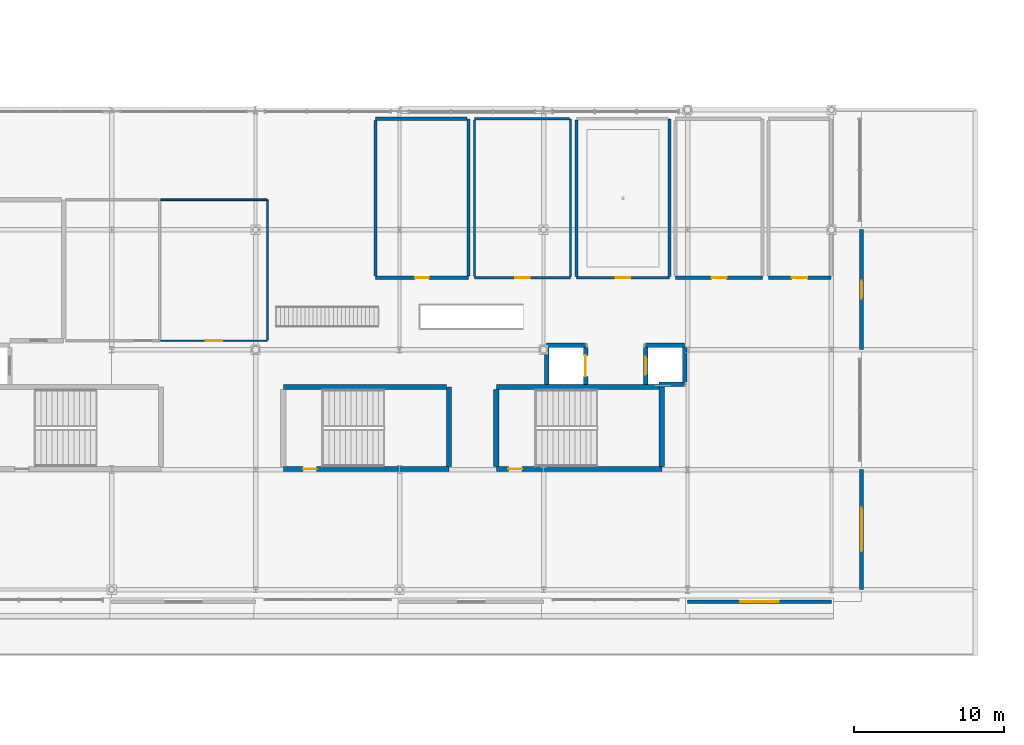
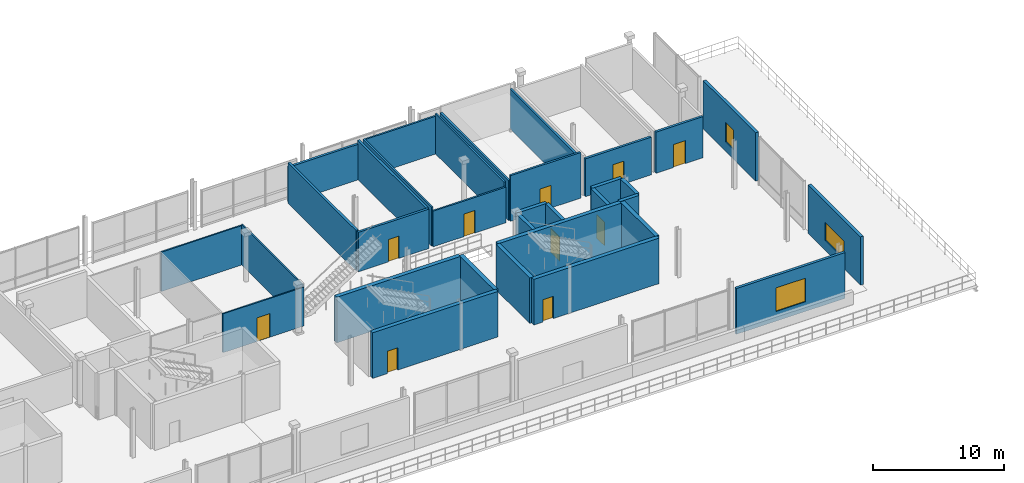
# One storey, part 25 of 36: 33 walls, 10 doors, 3 windows, 13 openings.
"""IFC4 building model written with IfcOpenShell, lengths in metres."""

import ifcopenshell
import ifcopenshell.guid

model = None  # the IFC model being written
_history = None  # IfcOwnerHistory: only IFC2X3 demands one
_inside = {}  # id of a spatial element -> (the spatial element, [elements in it])
_under = {}  # id of a project, library or spatial element -> (it, [spatial elements below it])
_declared = {}  # id of a project -> (the project, [libraries it declares])
_typed = {}  # id of a type object -> (the type object, [elements of that type])
_made_of = {}  # id of a material, layer set ... -> (it, [elements and type objects made of it])


def new_model(schema):
    """Start an empty IFC model of exactly this schema.

    Asked for "IFC4X3", IfcOpenShell would pick the latest addendum, in which some entities
    have other attributes; the version numbers below select the first issue.
    IFC2X3 requires an IfcOwnerHistory on every rooted entity: one is made here for all.
    """
    global model, _history
    if schema == "IFC4X3":
        model = ifcopenshell.file(schema_version=(4, 3, 0, 0))
    else:
        model = ifcopenshell.file(schema=schema)
    _inside.clear()
    _under.clear()
    _declared.clear()
    _typed.clear()
    _made_of.clear()
    _history = None
    if model.schema == "IFC2X3":
        org = make("IfcOrganization", Name="unknown")
        user = make(
            "IfcPersonAndOrganization",
            ThePerson=make("IfcPerson", FamilyName="unknown"),
            TheOrganization=org,
        )
        app = make(
            "IfcApplication",
            ApplicationDeveloper=org,
            Version="unknown",
            ApplicationFullName="unknown",
            ApplicationIdentifier="unknown",
        )
        _history = make(
            "IfcOwnerHistory",
            OwningUser=user,
            OwningApplication=app,
            ChangeAction="ADDED",
            CreationDate=0,
        )
    return model


def make(cls, **values):
    """One entity of the class cls with the attributes given. An attribute that is None is left unset."""
    return model.create_entity(
        cls, **{name: value for name, value in values.items() if value is not None}
    )


def rooted(cls, **values):
    """An entity with a GlobalId (a new one), such as an element, a storey or a relation."""
    return make(cls, GlobalId=ifcopenshell.guid.new(), OwnerHistory=_history, **values)


def si_unit(unit_type, name, prefix=None):
    """IfcSIUnit, for example si_unit("LENGTHUNIT", "METRE", prefix="MILLI")."""
    return make("IfcSIUnit", UnitType=unit_type, Prefix=prefix, Name=name)


def assignment(units):
    """IfcUnitAssignment: the units of a project."""
    return None if units is None else make("IfcUnitAssignment", Units=units)


def point(xyz):
    """IfcCartesianPoint."""
    return None if xyz is None else make("IfcCartesianPoint", Coordinates=xyz)


def direction(xyz):
    """IfcDirection."""
    return None if xyz is None else make("IfcDirection", DirectionRatios=xyz)


def frame(location, z_axis=None, x_axis=None):
    """IfcAxis2Placement3D, a coordinate frame: its origin and axes. An axis left out is left unset."""
    return make(
        "IfcAxis2Placement3D",
        Location=point(location),
        Axis=direction(z_axis),
        RefDirection=direction(x_axis),
    )


def frame_2d(location, x_axis=None):
    """IfcAxis2Placement2D, a coordinate frame in the plane: its origin and x axis."""
    return make(
        "IfcAxis2Placement2D", Location=point(location), RefDirection=direction(x_axis)
    )


def origin():
    """The frame at (0, 0, 0) with its axes left unset."""
    return frame((0.0, 0.0, 0.0))


def place(relative_to, where):
    """IfcLocalPlacement: puts the frame where relative to a parent placement (None: the world)."""
    return make(
        "IfcLocalPlacement", PlacementRelTo=relative_to, RelativePlacement=where
    )


def context(
    kind, dimensions, precision=None, world=None, true_north=None, identifier=None
):
    """IfcGeometricRepresentationContext, for example the 3D "Model" context."""
    return make(
        "IfcGeometricRepresentationContext",
        ContextIdentifier=identifier,
        ContextType=kind,
        CoordinateSpaceDimension=dimensions,
        Precision=precision,
        WorldCoordinateSystem=world,
        TrueNorth=true_north,
    )


def subcontext(parent, identifier, kind, view, scale=None):
    """IfcGeometricRepresentationSubContext, for example "Body" below "Model"."""
    return make(
        "IfcGeometricRepresentationSubContext",
        ContextIdentifier=identifier,
        ContextType=kind,
        ParentContext=parent,
        TargetScale=scale,
        TargetView=view,
    )


def project(units=None, contexts=None):
    """IfcProject with its units and contexts."""
    return rooted(
        "IfcProject",
        Name="project",
        RepresentationContexts=contexts,
        UnitsInContext=assignment(units),
    )


def spatial(cls, under=None, at=None, **own):
    """A site, building, storey or space (cls), placed at a placement, below another one or the project."""
    s = rooted(cls, ObjectPlacement=at, **own)
    if under is not None:
        _under.setdefault(under.id(), (under, []))[1].append(s)
    return s


def profile(cls, at=None, kind="AREA", **sizes):
    """A parametric profile (cls). Its sizes go by their IFC names, for example OverallWidth=200.0."""
    return make(cls, ProfileType=kind, Position=at, **sizes)


def rectangle(**sizes):
    """IfcRectangleProfileDef."""
    return profile("IfcRectangleProfileDef", **sizes)


def extrude(swept, where, along, depth):
    """IfcExtrudedAreaSolid: the profile swept, set in the frame where, extruded along a direction by depth."""
    return make(
        "IfcExtrudedAreaSolid",
        SweptArea=swept,
        Position=where,
        ExtrudedDirection=direction(along),
        Depth=depth,
    )


def shape(context_of_items, identifier, shape_type, items):
    """IfcShapeRepresentation: the items that make up one representation, for example the "Body"."""
    return make(
        "IfcShapeRepresentation",
        ContextOfItems=context_of_items,
        RepresentationIdentifier=identifier,
        RepresentationType=shape_type,
        Items=items,
    )


def material(Name=None, Category=None):
    """IfcMaterial."""
    return make("IfcMaterial", Name=Name, Category=Category)


def layer(
    of_material, thickness, ventilated=None, Name=None, Category=None, Priority=None
):
    """IfcMaterialLayer: one layer of a wall or slab, of a material (None: an air gap)."""
    return make(
        "IfcMaterialLayer",
        Material=of_material,
        LayerThickness=thickness,
        IsVentilated=ventilated,
        Name=Name,
        Category=Category,
        Priority=Priority,
    )


def layer_set(layers, Name=None):
    """IfcMaterialLayerSet."""
    return make("IfcMaterialLayerSet", MaterialLayers=layers, LayerSetName=Name)


def made_of(thing, what):
    """Note that an element or type object is made of a material, layer set ...; save() writes the relation."""
    if what is not None:
        _made_of.setdefault(what.id(), (what, []))[1].append(thing)
    return thing


def type_object(cls, material=None, **own):
    """A type object (cls), such as IfcWallType, which elements share."""
    return made_of(rooted(cls, **own), material)


def element(
    cls,
    number,
    at=None,
    inside=None,
    cuts=None,
    type_object=None,
    material=None,
    context=None,
    identifier="Body",
    shape_type=None,
    held_by="IfcProductDefinitionShape",
    body=None,
    shapes=None,
    **own,
):
    """One element of the class cls, such as IfcWall. Its Tag is "e" and its number.

    at: its placement. inside: the storey or other place that contains it. cuts: it is an
    opening in that element (IfcRelVoidsElement). A single representation is given by context,
    identifier, shape_type and body (its items); several are given by shapes. held_by: the class
    of the entity that holds the representations. save() writes the other relations.
    """
    e = rooted(cls, Tag="e%d" % number, ObjectPlacement=at, **own)
    if body is not None:
        shapes = [shape(context, identifier, shape_type, body)]
    if shapes is not None:
        e.Representation = make(held_by, Representations=shapes)
    if inside is not None:
        _inside.setdefault(inside.id(), (inside, []))[1].append(e)
    if cuts is not None:
        rooted(
            "IfcRelVoidsElement", RelatingBuildingElement=cuts, RelatedOpeningElement=e
        )
    if type_object is not None:
        _typed.setdefault(type_object.id(), (type_object, []))[1].append(e)
    return made_of(e, material)


def fill(opening, filler):
    """IfcRelFillsElement: the door or window that sits in an opening."""
    return rooted(
        "IfcRelFillsElement",
        RelatingOpeningElement=opening,
        RelatedBuildingElement=filler,
    )


def aggregate(whole, parts):
    """IfcRelAggregates: a whole, such as a stair, and the parts it consists of."""
    return rooted("IfcRelAggregates", RelatingObject=whole, RelatedObjects=parts)


def save(model, path):
    """Write the relations noted so far, then the file.

    IfcRelAggregates (storeys below a building ...), IfcRelContainedInSpatialStructure (elements
    in a storey), IfcRelDefinesByType, IfcRelAssociatesMaterial and IfcRelDeclares: one each for
    every whole, place, type object, material and project.
    """
    for whole, parts in _under.values():
        aggregate(whole, parts)
    for where, things in _inside.values():
        rooted(
            "IfcRelContainedInSpatialStructure",
            RelatedElements=things,
            RelatingStructure=where,
        )
    for kind, things in _typed.values():
        rooted("IfcRelDefinesByType", RelatedObjects=things, RelatingType=kind)
    for what, things in _made_of.values():
        rooted("IfcRelAssociatesMaterial", RelatedObjects=things, RelatingMaterial=what)
    for by, libraries in _declared.values():
        rooted("IfcRelDeclares", RelatingContext=by, RelatedDefinitions=libraries)
    model.write(path)


model = new_model("IFC4")

# Units and contexts
model_context = context("Model", 3, precision=1e-05, world=origin(), true_north=direction((0.0, 1.0)))
body_context = subcontext(model_context, "Body", "Model", "MODEL_VIEW")
ifc_project = project(units=[si_unit("LENGTHUNIT", "METRE"), si_unit("AREAUNIT", "SQUARE_METRE"), si_unit("VOLUMEUNIT", "CUBIC_METRE"), si_unit("PLANEANGLEUNIT", "RADIAN"), si_unit("MASSUNIT", "GRAM", prefix="KILO")], contexts=[model_context])

# Site, building, storey
site_placement = place(None, origin())
site = spatial("IfcSite", under=ifc_project, at=site_placement, CompositionType="ELEMENT")
building_placement = place(site_placement, origin())
building = spatial("IfcBuilding", under=site, at=building_placement, Name="Danafjord Basin Convention Centre", CompositionType="ELEMENT")
storey_placement = place(building_placement, frame((0.0, 0.0, 20.39990234375)))
storey = spatial("IfcBuildingStorey", under=building, at=storey_placement, Name="L04", CompositionType="ELEMENT", Elevation=20.39990234375)

# Wall
ifc_material_1 = material(Name="Concrete C40/50", Category="concrete")
ifc_layer_1 = layer(ifc_material_1, 0.300048828125)
ifc_layer_set_1 = layer_set([ifc_layer_1], Name="Concrete C40/50")
wall_type_1 = type_object("IfcWallType", Name="WALL-CW-CORE300", PredefinedType="SHEAR", material=ifc_layer_set_1)
wall_1_placement = place(storey_placement, frame((89.199951171875, 24.300048828125, 0.0), z_axis=(0.0, 0.0, 1.0), x_axis=(-1.0, 0.0, 0.0)))
element("IfcWall", 1, at=wall_1_placement, inside=storey, type_object=wall_type_1, Name="Lift LF-FF02 shaft shear wall", PredefinedType="SHEAR", context=body_context, shape_type="SweptSolid", body=[
    extrude(rectangle(XDim=2.599853515625, YDim=0.300048828125, at=frame_2d((1.2998046875, 0.0))), origin(), (0.0, 0.0, 1.0), 4.25),
])

# Wall, opening, door
wall_2_placement = place(storey_placement, frame((89.199951171875, 21.6650390625, 0.0), z_axis=(0.0, 0.0, 1.0), x_axis=(0.0, 1.0, 0.0)))
wall_2 = element("IfcWall", 2, at=wall_2_placement, inside=storey, type_object=wall_type_1, Name="Lift LF-FF02 shaft shear wall", PredefinedType="SHEAR", context=body_context, shape_type="SweptSolid", body=[
    extrude(rectangle(XDim=2.5, YDim=0.300048828125, at=frame_2d((1.25, 0.0))), origin(), (0.0, 0.0, 1.0), 4.25),
])
opening_1_placement = place(wall_2_placement, frame((0.550048828125, 0.0, 0.0)))
opening_1 = element("IfcOpeningElement", 3, at=opening_1_placement, cuts=wall_2, Name="Opening LD-F01", PredefinedType="OPENING", context=body_context, shape_type="SweptSolid", body=[
    extrude(rectangle(XDim=1.39990234375, YDim=2.260009765625, at=frame_2d((0.699951171875, 1.1298828125))), frame((0.0, 0.159912109375, 0.0), z_axis=(0.0, -1.0, 0.0), x_axis=(1.0, 0.0, 0.0)), (0.0, 0.0, 1.0), 0.320068359375),
])
ifc_material_2 = material(Name="Brushed stainless steel and acoustic laminated glass", Category="steel")
door_type_1 = type_object("IfcDoorType", Name="DOOR-LD-F01", OperationType="DOUBLE_DOOR_SLIDING", PredefinedType="DOOR", material=ifc_material_2)
door_1_placement = place(opening_1_placement, origin())
door_1 = element("IfcDoor", 4, at=door_1_placement, inside=storey, type_object=door_type_1, Name="Lift LF-FF02 L04 Landing Door", OperationType="DOUBLE_DOOR_SLIDING", OverallHeight=2.260009765625, OverallWidth=1.39990234375, PredefinedType="DOOR", context=body_context, shape_type="SweptSolid", body=[
    extrude(rectangle(XDim=1.39990234375, YDim=2.260009765625, at=frame_2d((0.699951171875, 1.1298828125))), frame((0.0, 0.02490234375, 0.0), z_axis=(0.0, -1.0, 0.0), x_axis=(1.0, 0.0, 0.0)), (0.0, 0.0, 1.0), 0.050048828125),
])
fill(opening_1, door_1)

# Walls
wall_3_placement = place(storey_placement, frame((86.60009765625, 24.1650390625, 0.0), z_axis=(0.0, 0.0, 1.0), x_axis=(0.0, -1.0, 0.0)))
element("IfcWall", 5, at=wall_3_placement, inside=storey, type_object=wall_type_1, Name="Lift LF-FF02 shaft shear wall", PredefinedType="SHEAR", context=body_context, shape_type="SweptSolid", body=[
    extrude(rectangle(XDim=2.5, YDim=0.300048828125, at=frame_2d((1.25, 0.0))), origin(), (0.0, 0.0, 1.0), 4.25),
])
wall_4_placement = place(storey_placement, frame((95.800048828125, 24.300048828125, 0.0), z_axis=(0.0, 0.0, 1.0), x_axis=(-1.0, 0.0, 0.0)))
element("IfcWall", 6, at=wall_4_placement, inside=storey, type_object=wall_type_1, Name="Lift LF-P02 shaft shear wall", PredefinedType="SHEAR", context=body_context, shape_type="SweptSolid", body=[
    extrude(rectangle(XDim=2.60009765625, YDim=0.300048828125, at=frame_2d((1.300048828125, 0.0))), origin(), (0.0, 0.0, 1.0), 4.25),
])
wall_5_placement = place(storey_placement, frame((94.110107421875, 21.699951171875, 0.0), z_axis=(0.0, 0.0, 1.0), x_axis=(1.0, 0.0, 0.0)))
element("IfcWall", 7, at=wall_5_placement, inside=storey, type_object=wall_type_1, Name="Lift LF-P02 shaft shear wall", PredefinedType="SHEAR", context=body_context, shape_type="SweptSolid", body=[
    extrude(rectangle(XDim=1.68994140625, YDim=0.300048828125, at=frame_2d((0.844970703125, 0.0))), origin(), (0.0, 0.0, 1.0), 4.25),
])
wall_6_placement = place(storey_placement, frame((95.800048828125, 21.8349609375, 0.0), z_axis=(0.0, 0.0, 1.0), x_axis=(0.0, 1.0, 0.0)))
element("IfcWall", 8, at=wall_6_placement, inside=storey, type_object=wall_type_1, Name="Lift LF-P02 shaft shear wall", PredefinedType="SHEAR", context=body_context, shape_type="SweptSolid", body=[
    extrude(rectangle(XDim=2.330078125, YDim=0.300048828125, at=frame_2d((1.1650390625, 0.0))), origin(), (0.0, 0.0, 1.0), 4.25),
])

# Wall, opening, door
wall_7_placement = place(storey_placement, frame((93.199951171875, 24.1650390625, 0.0), z_axis=(0.0, 0.0, 1.0), x_axis=(0.0, -1.0, 0.0)))
wall_7 = element("IfcWall", 9, at=wall_7_placement, inside=storey, type_object=wall_type_1, Name="Lift LF-P02 shaft shear wall", PredefinedType="SHEAR", context=body_context, shape_type="SweptSolid", body=[
    extrude(rectangle(XDim=2.5, YDim=0.300048828125, at=frame_2d((1.25, 0.0))), origin(), (0.0, 0.0, 1.0), 4.25),
])
opening_2_placement = place(wall_7_placement, frame((0.64990234375, 0.0, 0.0)))
opening_2 = element("IfcOpeningElement", 10, at=opening_2_placement, cuts=wall_7, Name="Opening LD-P01", PredefinedType="OPENING", context=body_context, shape_type="SweptSolid", body=[
    extrude(rectangle(XDim=1.199951171875, YDim=2.199951171875, at=frame_2d((0.60009765625, 1.10009765625))), frame((0.0, 0.159912109375, 0.0), z_axis=(0.0, -1.0, 0.0), x_axis=(1.0, 0.0, 0.0)), (0.0, 0.0, 1.0), 0.320068359375),
])
door_type_2 = type_object("IfcDoorType", Name="DOOR-LD-P01", OperationType="DOUBLE_DOOR_SLIDING", PredefinedType="DOOR", material=ifc_material_2)
door_2_placement = place(opening_2_placement, origin())
door_2 = element("IfcDoor", 11, at=door_2_placement, inside=storey, type_object=door_type_2, Name="Lift LF-P02 L04 Landing Door", OperationType="DOUBLE_DOOR_SLIDING", OverallHeight=2.199951171875, OverallWidth=1.199951171875, PredefinedType="DOOR", context=body_context, shape_type="SweptSolid", body=[
    extrude(rectangle(XDim=1.199951171875, YDim=2.199951171875, at=frame_2d((0.60009765625, 1.10009765625))), frame((0.0, 0.02490234375, 0.0), z_axis=(0.0, -1.0, 0.0), x_axis=(1.0, 0.0, 0.0)), (0.0, 0.0, 1.0), 0.050048828125),
])
fill(opening_2, door_2)

ifc_material_3 = material(Name="Concrete C45/55", Category="concrete")
ifc_layer_2 = layer(ifc_material_3, 0.35009765625)
ifc_layer_set_2 = layer_set([ifc_layer_2], Name="Concrete C45/55")
wall_type_2 = type_object("IfcWallType", Name="WALL-CW-CORE350", PredefinedType="SHEAR", material=ifc_layer_set_2)
wall_8_placement = place(storey_placement, frame((83.25, 16.050048828125, 0.0), z_axis=(0.0, 0.0, 1.0), x_axis=(1.0, 0.0, 0.0)))
wall_8 = element("IfcWall", 12, at=wall_8_placement, inside=storey, type_object=wall_type_2, Name="Central Harbour Core Stair 1 core shear wall (south)", PredefinedType="SHEAR", context=body_context, shape_type="SweptSolid", body=[
    extrude(rectangle(XDim=11.0400390625, YDim=0.35009765625, at=frame_2d((5.52001953125, 0.0))), origin(), (0.0, 0.0, 1.0), 4.25),
])
opening_3_placement = place(wall_8_placement, frame((0.805908203125, 0.0, 0.0)))
opening_3 = element("IfcOpeningElement", 13, at=opening_3_placement, cuts=wall_8, Name="Opening FD-S01", PredefinedType="OPENING", context=body_context, shape_type="SweptSolid", body=[
    extrude(rectangle(XDim=0.909912109375, YDim=2.080078125, at=frame_2d((0.455078125, 1.0400390625))), frame((0.0, 0.18505859375, 0.0), z_axis=(0.0, -1.0, 0.0), x_axis=(1.0, 0.0, 0.0)), (0.0, 0.0, 1.0), 0.3701171875),
])
ifc_material_4 = material(Name="Powder-coated steel and Nordic oak", Category="steel")
door_type_3 = type_object("IfcDoorType", Name="DOOR-FD-S01", OperationType="NOTDEFINED", PredefinedType="DOOR", material=ifc_material_4)
door_3_placement = place(opening_3_placement, origin())
door_3 = element("IfcDoor", 14, at=door_3_placement, inside=storey, type_object=door_type_3, Name="Central Harbour Core Stair 1 L04 Fire Exit Door", OperationType="SINGLE_SWING_RIGHT", OverallHeight=2.080078125, OverallWidth=0.909912109375, PredefinedType="DOOR", context=body_context, shape_type="SweptSolid", body=[
    extrude(rectangle(XDim=0.909912109375, YDim=2.080078125, at=frame_2d((0.455078125, 1.0400390625))), frame((0.0, 0.02490234375, 0.0), z_axis=(0.0, -1.0, 0.0), x_axis=(1.0, 0.0, 0.0)), (0.0, 0.0, 1.0), 0.050048828125),
])
fill(opening_3, door_3)

# Walls
wall_9_placement = place(storey_placement, frame((94.2900390625, 16.2099609375, 0.0), z_axis=(0.0, 0.0, 1.0), x_axis=(0.0, 1.0, 0.0)))
element("IfcWall", 15, at=wall_9_placement, inside=storey, type_object=wall_type_2, Name="Central Harbour Core Stair 1 core shear wall (east)", PredefinedType="SHEAR", context=body_context, shape_type="SweptSolid", body=[
    extrude(rectangle(XDim=5.300048828125, YDim=0.35009765625, at=frame_2d((2.64990234375, 0.0))), origin(), (0.0, 0.0, 1.0), 4.25),
])
wall_10_placement = place(storey_placement, frame((94.1298828125, 21.510009765625, 0.0), z_axis=(0.0, 0.0, 1.0), x_axis=(-1.0, 0.0, 0.0)))
element("IfcWall", 16, at=wall_10_placement, inside=storey, type_object=wall_type_2, Name="Central Harbour Core Stair 1 core shear wall (north)", PredefinedType="SHEAR", context=body_context, shape_type="SweptSolid", body=[
    extrude(rectangle(XDim=10.8798828125, YDim=0.35009765625, at=frame_2d((5.43994140625, 0.0))), origin(), (0.0, 0.0, 1.0), 4.25),
])
wall_11_placement = place(storey_placement, frame((83.25, 21.35009765625, 0.0), z_axis=(0.0, 0.0, 1.0), x_axis=(0.0, -1.0, 0.0)))
element("IfcWall", 17, at=wall_11_placement, inside=storey, type_object=wall_type_2, Name="Central Harbour Core Stair 1 core shear wall (west)", PredefinedType="SHEAR", context=body_context, shape_type="SweptSolid", body=[
    extrude(rectangle(XDim=5.14013671875, YDim=0.35009765625, at=frame_2d((2.570068359375, 0.0))), origin(), (0.0, 0.0, 1.0), 4.25),
])

# Wall, opening, door
wall_12_placement = place(storey_placement, frame((69.050048828125, 16.050048828125, 0.0), z_axis=(0.0, 0.0, 1.0), x_axis=(1.0, 0.0, 0.0)))
wall_12 = element("IfcWall", 18, at=wall_12_placement, inside=storey, type_object=wall_type_2, Name="Mid-Arc Escape Stair 2 core shear wall (south)", PredefinedType="SHEAR", context=body_context, shape_type="SweptSolid", body=[
    extrude(rectangle(XDim=11.0400390625, YDim=0.35009765625, at=frame_2d((5.52001953125, 0.0))), origin(), (0.0, 0.0, 1.0), 4.25),
])
opening_4_placement = place(wall_12_placement, frame((1.31201171875, 0.0, 0.0)))
opening_4 = element("IfcOpeningElement", 19, at=opening_4_placement, cuts=wall_12, Name="Opening FD-S01", PredefinedType="OPENING", context=body_context, shape_type="SweptSolid", body=[
    extrude(rectangle(XDim=0.909912109375, YDim=2.080078125, at=frame_2d((0.455078125, 1.0400390625))), frame((0.0, 0.18505859375, 0.0), z_axis=(0.0, -1.0, 0.0), x_axis=(1.0, 0.0, 0.0)), (0.0, 0.0, 1.0), 0.3701171875),
])
door_4_placement = place(opening_4_placement, origin())
door_4 = element("IfcDoor", 20, at=door_4_placement, inside=storey, type_object=door_type_3, Name="Mid-Arc Escape Stair 2 L04 Fire Exit Door", OperationType="SINGLE_SWING_LEFT", OverallHeight=2.080078125, OverallWidth=0.909912109375, PredefinedType="DOOR", context=body_context, shape_type="SweptSolid", body=[
    extrude(rectangle(XDim=0.909912109375, YDim=2.080078125, at=frame_2d((0.455078125, 1.0400390625))), frame((0.0, 0.02490234375, 0.0), z_axis=(0.0, -1.0, 0.0), x_axis=(1.0, 0.0, 0.0)), (0.0, 0.0, 1.0), 0.050048828125),
])
fill(opening_4, door_4)

# Walls
wall_13_placement = place(storey_placement, frame((80.090087890625, 16.2099609375, 0.0), z_axis=(0.0, 0.0, 1.0), x_axis=(0.0, 1.0, 0.0)))
element("IfcWall", 21, at=wall_13_placement, inside=storey, type_object=wall_type_2, Name="Mid-Arc Escape Stair 2 core shear wall (east)", PredefinedType="SHEAR", context=body_context, shape_type="SweptSolid", body=[
    extrude(rectangle(XDim=5.300048828125, YDim=0.35009765625, at=frame_2d((2.64990234375, 0.0))), origin(), (0.0, 0.0, 1.0), 4.25),
])
wall_14_placement = place(storey_placement, frame((79.929931640625, 21.510009765625, 0.0), z_axis=(0.0, 0.0, 1.0), x_axis=(-1.0, 0.0, 0.0)))
element("IfcWall", 22, at=wall_14_placement, inside=storey, type_object=wall_type_2, Name="Mid-Arc Escape Stair 2 core shear wall (north)", PredefinedType="SHEAR", context=body_context, shape_type="SweptSolid", body=[
    extrude(rectangle(XDim=10.8798828125, YDim=0.35009765625, at=frame_2d((5.43994140625, 0.0))), origin(), (0.0, 0.0, 1.0), 4.25),
])

# Wall, opening, window
ifc_material_5 = material(Name="Concrete C35/45", Category="concrete")
ifc_layer_3 = layer(ifc_material_5, 0.22998046875)
ifc_layer_set_3 = layer_set([ifc_layer_3], Name="Concrete C35/45")
wall_type_3 = type_object("IfcWallType", Name="WALL-EW-STD230", PredefinedType="STANDARD", material=ifc_layer_set_3)
wall_15_placement = place(storey_placement, frame((96.0, 7.199951171875, 0.0), z_axis=(0.0, 0.0, 1.0), x_axis=(1.0, 0.0, 0.0)))
wall_15 = element("IfcWall", 23, at=wall_15_placement, inside=storey, type_object=wall_type_3, Name="L04 harbourfront precast facade bay 11", PredefinedType="STANDARD", context=body_context, shape_type="SweptSolid", body=[
    extrude(rectangle(XDim=9.60009765625, YDim=0.22998046875, at=frame_2d((4.800048828125, 0.0))), origin(), (0.0, 0.0, 1.0), 4.260009765625),
])
opening_5_placement = place(wall_15_placement, frame((3.5, 0.0, 0.89990234375)))
opening_5 = element("IfcOpeningElement", 24, at=opening_5_placement, cuts=wall_15, Name="Opening WN-08", PredefinedType="OPENING", context=body_context, shape_type="SweptSolid", body=[
    extrude(rectangle(XDim=2.60009765625, YDim=2.199951171875, at=frame_2d((1.300048828125, 1.10009765625))), frame((0.0, 0.125, 0.0), z_axis=(0.0, -1.0, 0.0), x_axis=(1.0, 0.0, 0.0)), (0.0, 0.0, 1.0), 0.25),
])
ifc_material_6 = material(Name="Thermally broken aluminium and triple low-E glass", Category="aluminium")
window_type_1 = type_object("IfcWindowType", Name="WIN-WN-08", PartitioningType="SINGLE_PANEL", PredefinedType="WINDOW", material=ifc_material_6)
window_1_placement = place(opening_5_placement, origin())
window_1 = element("IfcWindow", 25, at=window_1_placement, inside=storey, type_object=window_type_1, Name="L04 harbour window WN-08", OverallHeight=2.199951171875, OverallWidth=2.60009765625, PartitioningType="SINGLE_PANEL", PredefinedType="WINDOW", context=body_context, shape_type="SweptSolid", body=[
    extrude(rectangle(XDim=2.60009765625, YDim=2.199951171875, at=frame_2d((1.300048828125, 1.10009765625))), frame((0.0, 0.030029296875, 0.0), z_axis=(0.0, -1.0, 0.0), x_axis=(1.0, 0.0, 0.0)), (0.0, 0.0, 1.0), 0.06005859375),
])
fill(opening_5, window_1)

ifc_layer_4 = layer(ifc_material_5, 0.260009765625)
ifc_layer_set_4 = layer_set([ifc_layer_4], Name="Concrete C35/45")
wall_type_4 = type_object("IfcWallType", Name="WALL-EW-STD260", PredefinedType="STANDARD", material=ifc_layer_set_4)
wall_16_placement = place(storey_placement, frame((107.60009765625, 8.0, 0.0), z_axis=(0.0, 0.0, 1.0), x_axis=(0.0, 1.0, 0.0)))
wall_16 = element("IfcWall", 26, at=wall_16_placement, inside=storey, type_object=wall_type_4, Name="L04 E wing facade wall", PredefinedType="STANDARD", context=body_context, shape_type="SweptSolid", body=[
    extrude(rectangle(XDim=8.0, YDim=0.260009765625, at=frame_2d((4.0, 0.0))), origin(), (0.0, 0.0, 1.0), 4.5),
])
opening_6_placement = place(wall_16_placement, frame((2.550048828125, 0.0, 0.89990234375)))
opening_6 = element("IfcOpeningElement", 27, at=opening_6_placement, cuts=wall_16, Name="Opening WN-18", PredefinedType="OPENING", context=body_context, shape_type="SweptSolid", body=[
    extrude(rectangle(XDim=2.89990234375, YDim=1.699951171875, at=frame_2d((1.449951171875, 0.85009765625))), frame((0.0, 0.139892578125, 0.0), z_axis=(0.0, -1.0, 0.0), x_axis=(1.0, 0.0, 0.0)), (0.0, 0.0, 1.0), 0.280029296875),
])
window_type_2 = type_object("IfcWindowType", Name="WIN-WN-18", PartitioningType="SINGLE_PANEL", PredefinedType="WINDOW", material=ifc_material_6)
window_2_placement = place(opening_6_placement, origin())
window_2 = element("IfcWindow", 28, at=window_2_placement, inside=storey, type_object=window_type_2, Name="L04 E window WN-18", OverallHeight=1.699951171875, OverallWidth=2.89990234375, PartitioningType="SINGLE_PANEL", PredefinedType="WINDOW", context=body_context, shape_type="SweptSolid", body=[
    extrude(rectangle(XDim=2.89990234375, YDim=1.699951171875, at=frame_2d((1.449951171875, 0.85009765625))), frame((0.0, 0.030029296875, 0.0), z_axis=(0.0, -1.0, 0.0), x_axis=(1.0, 0.0, 0.0)), (0.0, 0.0, 1.0), 0.06005859375),
])
fill(opening_6, window_2)

wall_17_placement = place(storey_placement, frame((107.60009765625, 24.0, 0.0), z_axis=(0.0, 0.0, 1.0), x_axis=(0.0, 1.0, 0.0)))
wall_17 = element("IfcWall", 29, at=wall_17_placement, inside=storey, type_object=wall_type_4, Name="L04 E wing facade wall", PredefinedType="STANDARD", context=body_context, shape_type="SweptSolid", body=[
    extrude(rectangle(XDim=8.0, YDim=0.260009765625, at=frame_2d((4.0, 0.0))), origin(), (0.0, 0.0, 1.0), 4.5),
])
opening_7_placement = place(wall_17_placement, frame((3.39990234375, 0.0, 0.89990234375)))
opening_7 = element("IfcOpeningElement", 30, at=opening_7_placement, cuts=wall_17, Name="Opening WN-01", PredefinedType="OPENING", context=body_context, shape_type="SweptSolid", body=[
    extrude(rectangle(XDim=1.199951171875, YDim=1.800048828125, at=frame_2d((0.60009765625, 0.89990234375))), frame((0.0, 0.139892578125, 0.0), z_axis=(0.0, -1.0, 0.0), x_axis=(1.0, 0.0, 0.0)), (0.0, 0.0, 1.0), 0.280029296875),
])
window_type_3 = type_object("IfcWindowType", Name="WIN-WN-01", PartitioningType="SINGLE_PANEL", PredefinedType="WINDOW", material=ifc_material_6)
window_3_placement = place(opening_7_placement, origin())
window_3 = element("IfcWindow", 31, at=window_3_placement, inside=storey, type_object=window_type_3, Name="L04 E window WN-01", OverallHeight=1.800048828125, OverallWidth=1.199951171875, PartitioningType="SINGLE_PANEL", PredefinedType="WINDOW", context=body_context, shape_type="SweptSolid", body=[
    extrude(rectangle(XDim=1.199951171875, YDim=1.800048828125, at=frame_2d((0.60009765625, 0.89990234375))), frame((0.0, 0.030029296875, 0.0), z_axis=(0.0, -1.0, 0.0), x_axis=(1.0, 0.0, 0.0)), (0.0, 0.0, 1.0), 0.06005859375),
])
fill(opening_7, window_3)

# Wall, opening, door
ifc_material_7 = material(Name="Acoustic double-board gypsum stud partition")
ifc_layer_5 = layer(ifc_material_7, 0.175048828125)
ifc_layer_set_5 = layer_set([ifc_layer_5], Name="Acoustic double-board gypsum stud partition")
wall_type_5 = type_object("IfcWallType", Name="WALL-PT-AC175", PredefinedType="PARTITIONING", material=ifc_layer_set_5)
wall_18_placement = place(storey_placement, frame((88.60009765625, 28.800048828125, 0.0), z_axis=(0.0, 0.0, 1.0), x_axis=(1.0, 0.0, 0.0)))
wall_18 = element("IfcWall", 32, at=wall_18_placement, inside=storey, type_object=wall_type_5, Name="Ambassadors Conference Lounge south partition", PredefinedType="PARTITIONING", context=body_context, shape_type="SweptSolid", body=[
    extrude(rectangle(XDim=6.199951171875, YDim=0.175048828125, at=frame_2d((3.10009765625, 0.0))), origin(), (0.0, 0.0, 1.0), 4.25),
])
opening_8_placement = place(wall_18_placement, frame((2.614990234375, 0.0, 0.0)))
opening_8 = element("IfcOpeningElement", 33, at=opening_8_placement, cuts=wall_18, Name="Opening FD-S03", PredefinedType="OPENING", context=body_context, shape_type="SweptSolid", body=[
    extrude(rectangle(XDim=0.969970703125, YDim=2.10009765625, at=frame_2d((0.48486328125, 1.050048828125))), frame((0.0, 0.097412109375, 0.0), z_axis=(0.0, -1.0, 0.0), x_axis=(1.0, 0.0, 0.0)), (0.0, 0.0, 1.0), 0.195068359375),
])
door_type_4 = type_object("IfcDoorType", Name="DOOR-FD-S03", OperationType="NOTDEFINED", PredefinedType="DOOR", material=ifc_material_4)
door_5_placement = place(opening_8_placement, origin())
door_5 = element("IfcDoor", 34, at=door_5_placement, inside=storey, type_object=door_type_4, Name="Ambassadors Conference Lounge Entrance Door", OperationType="SINGLE_SWING_RIGHT", OverallHeight=2.10009765625, OverallWidth=0.969970703125, PredefinedType="DOOR", context=body_context, shape_type="SweptSolid", body=[
    extrude(rectangle(XDim=0.969970703125, YDim=2.10009765625, at=frame_2d((0.48486328125, 1.050048828125))), frame((0.0, 0.02490234375, 0.0), z_axis=(0.0, -1.0, 0.0), x_axis=(1.0, 0.0, 0.0)), (0.0, 0.0, 1.0), 0.050048828125),
])
fill(opening_8, door_5)

# Walls
wall_19_placement = place(storey_placement, frame((94.800048828125, 28.8916015625, 0.0), z_axis=(0.0, 0.0, 1.0), x_axis=(0.0, 1.0, 0.0)))
element("IfcWall", 35, at=wall_19_placement, inside=storey, type_object=wall_type_5, Name="Ambassadors Conference Lounge east partition", PredefinedType="PARTITIONING", context=body_context, shape_type="SweptSolid", body=[
    extrude(rectangle(XDim=10.50830078125, YDim=0.175048828125, at=frame_2d((5.254150390625, 0.0))), origin(), (0.0, 0.0, 1.0), 3.72998046875),
])
wall_20_placement = place(storey_placement, frame((88.60009765625, 39.30859375, 0.0), z_axis=(0.0, 0.0, 1.0), x_axis=(0.0, -1.0, 0.0)))
element("IfcWall", 36, at=wall_20_placement, inside=storey, type_object=wall_type_5, Name="Ambassadors Conference Lounge west partition", PredefinedType="PARTITIONING", context=body_context, shape_type="SweptSolid", body=[
    extrude(rectangle(XDim=10.4169921875, YDim=0.175048828125, at=frame_2d((5.20849609375, 0.0))), origin(), (0.0, 0.0, 1.0), 3.72998046875),
])

# Wall, opening, door
ifc_material_8 = material(Name="Moisture-resistant gypsum stud partition")
ifc_layer_6 = layer(ifc_material_8, 0.1201171875)
ifc_layer_set_6 = layer_set([ifc_layer_6], Name="Moisture-resistant gypsum stud partition")
wall_type_6 = type_object("IfcWallType", Name="WALL-PT-ST120", PredefinedType="PARTITIONING", material=ifc_layer_set_6)
wall_21_placement = place(storey_placement, frame((60.864013671875, 24.60009765625, 0.0), z_axis=(0.0, 0.0, 1.0), x_axis=(1.0, 0.0, 0.0)))
wall_21 = element("IfcWall", 37, at=wall_21_placement, inside=storey, type_object=wall_type_6, Name="Level 4 Accessible WC south partition", PredefinedType="PARTITIONING", context=body_context, shape_type="SweptSolid", body=[
    extrude(rectangle(XDim=7.135986328125, YDim=0.1201171875, at=frame_2d((3.56787109375, 0.0))), origin(), (0.0, 0.0, 1.0), 3.6201171875),
])
opening_9_placement = place(wall_21_placement, frame((3.008056640625, 0.0, 0.0)))
opening_9 = element("IfcOpeningElement", 38, at=opening_9_placement, cuts=wall_21, Name="Opening FD-S08", PredefinedType="OPENING", context=body_context, shape_type="SweptSolid", body=[
    extrude(rectangle(XDim=1.1201171875, YDim=2.199951171875, at=frame_2d((0.56005859375, 1.10009765625))), frame((0.0, 0.070068359375, 0.0), z_axis=(0.0, -1.0, 0.0), x_axis=(1.0, 0.0, 0.0)), (0.0, 0.0, 1.0), 0.14013671875),
])
door_type_5 = type_object("IfcDoorType", Name="DOOR-FD-S08", OperationType="NOTDEFINED", PredefinedType="DOOR", material=ifc_material_4)
door_6_placement = place(opening_9_placement, origin())
door_6 = element("IfcDoor", 39, at=door_6_placement, inside=storey, type_object=door_type_5, Name="Level 4 Accessible WC Entrance Door", OperationType="SINGLE_SWING_LEFT", OverallHeight=2.199951171875, OverallWidth=1.1201171875, PredefinedType="DOOR", context=body_context, shape_type="SweptSolid", body=[
    extrude(rectangle(XDim=1.1201171875, YDim=2.199951171875, at=frame_2d((0.56005859375, 1.10009765625))), frame((0.0, 0.02490234375, 0.0), z_axis=(0.0, -1.0, 0.0), x_axis=(1.0, 0.0, 0.0)), (0.0, 0.0, 1.0), 0.050048828125),
])
fill(opening_9, door_6)

# Walls
wall_22_placement = place(storey_placement, frame((68.0, 24.6640625, 0.0), z_axis=(0.0, 0.0, 1.0), x_axis=(0.0, 1.0, 0.0)))
element("IfcWall", 40, at=wall_22_placement, inside=storey, type_object=wall_type_6, Name="Level 4 Accessible WC east partition", PredefinedType="PARTITIONING", context=body_context, shape_type="SweptSolid", body=[
    extrude(rectangle(XDim=9.3359375, YDim=0.1201171875, at=frame_2d((4.66796875, 0.0))), origin(), (0.0, 0.0, 1.0), 3.77001953125),
])
wall_23_placement = place(storey_placement, frame((67.93603515625, 34.0, 0.0), z_axis=(0.0, 0.0, 1.0), x_axis=(-1.0, 0.0, 0.0)))
element("IfcWall", 41, at=wall_23_placement, inside=storey, type_object=wall_type_6, Name="Level 4 Accessible WC north partition", PredefinedType="PARTITIONING", context=body_context, shape_type="SweptSolid", body=[
    extrude(rectangle(XDim=7.072021484375, YDim=0.1201171875, at=frame_2d((3.5361328125, 0.0))), origin(), (0.0, 0.0, 1.0), 3.670166015625),
])

# Wall, opening, door
ifc_material_9 = material(Name="Fire-rated gypsum metal-stud partition")
ifc_layer_7 = layer(ifc_material_9, 0.14990234375)
ifc_layer_set_7 = layer_set([ifc_layer_7], Name="Fire-rated gypsum metal-stud partition")
wall_type_7 = type_object("IfcWallType", Name="WALL-PT-ST150", PredefinedType="PARTITIONING", material=ifc_layer_set_7)
wall_24_placement = place(storey_placement, frame((81.800048828125, 28.800048828125, 0.0), z_axis=(0.0, 0.0, 1.0), x_axis=(1.0, 0.0, 0.0)))
wall_24 = element("IfcWall", 42, at=wall_24_placement, inside=storey, type_object=wall_type_7, Name="Diplomatic Interpretation and Media Offices south partition", PredefinedType="PARTITIONING", context=body_context, shape_type="SweptSolid", body=[
    extrude(rectangle(XDim=6.39990234375, YDim=0.14990234375, at=frame_2d((3.199951171875, 0.0))), origin(), (0.0, 0.0, 1.0), 3.320068359375),
])
opening_10_placement = place(wall_24_placement, frame((2.72998046875, 0.0, 0.0)))
opening_10 = element("IfcOpeningElement", 43, at=opening_10_placement, cuts=wall_24, Name="Opening FD-S02", PredefinedType="OPENING", context=body_context, shape_type="SweptSolid", body=[
    extrude(rectangle(XDim=0.93994140625, YDim=2.10009765625, at=frame_2d((0.469970703125, 1.050048828125))), frame((0.0, 0.0849609375, 0.0), z_axis=(0.0, -1.0, 0.0), x_axis=(1.0, 0.0, 0.0)), (0.0, 0.0, 1.0), 0.169921875),
])
door_type_6 = type_object("IfcDoorType", Name="DOOR-FD-S02", OperationType="NOTDEFINED", PredefinedType="DOOR", material=ifc_material_4)
door_7_placement = place(opening_10_placement, origin())
door_7 = element("IfcDoor", 44, at=door_7_placement, inside=storey, type_object=door_type_6, Name="Diplomatic Interpretation and Media Offices Entrance Door", OperationType="SINGLE_SWING_LEFT", OverallHeight=2.10009765625, OverallWidth=0.93994140625, PredefinedType="DOOR", context=body_context, shape_type="SweptSolid", body=[
    extrude(rectangle(XDim=0.93994140625, YDim=2.10009765625, at=frame_2d((0.469970703125, 1.050048828125))), frame((0.0, 0.02490234375, 0.0), z_axis=(0.0, -1.0, 0.0), x_axis=(1.0, 0.0, 0.0)), (0.0, 0.0, 1.0), 0.050048828125),
])
fill(opening_10, door_7)

# Walls
wall_25_placement = place(storey_placement, frame((88.199951171875, 28.87890625, 0.0), z_axis=(0.0, 0.0, 1.0), x_axis=(0.0, 1.0, 0.0)))
element("IfcWall", 45, at=wall_25_placement, inside=storey, type_object=wall_type_7, Name="Diplomatic Interpretation and Media Offices east partition", PredefinedType="PARTITIONING", context=body_context, shape_type="SweptSolid", body=[
    extrude(rectangle(XDim=10.52099609375, YDim=0.14990234375, at=frame_2d((5.260498046875, 0.0))), origin(), (0.0, 0.0, 1.0), 3.72998046875),
])
wall_26_placement = place(storey_placement, frame((88.12109375, 39.39990234375, 0.0), z_axis=(0.0, 0.0, 1.0), x_axis=(-1.0, 0.0, 0.0)))
element("IfcWall", 46, at=wall_26_placement, inside=storey, type_object=wall_type_7, Name="Diplomatic Interpretation and Media Offices north partition", PredefinedType="PARTITIONING", context=body_context, shape_type="SweptSolid", body=[
    extrude(rectangle(XDim=6.321044921875, YDim=0.14990234375, at=frame_2d((3.16064453125, 0.0))), origin(), (0.0, 0.0, 1.0), 3.52001953125),
])
wall_27_placement = place(storey_placement, frame((81.800048828125, 39.321044921875, 0.0), z_axis=(0.0, 0.0, 1.0), x_axis=(0.0, -1.0, 0.0)))
element("IfcWall", 47, at=wall_27_placement, inside=storey, type_object=wall_type_7, Name="Diplomatic Interpretation and Media Offices west partition", PredefinedType="PARTITIONING", context=body_context, shape_type="SweptSolid", body=[
    extrude(rectangle(XDim=10.442138671875, YDim=0.14990234375, at=frame_2d((5.22119140625, 0.0))), origin(), (0.0, 0.0, 1.0), 3.630126953125),
])

# Wall, opening, door
ifc_layer_8 = layer(ifc_material_5, 0.205078125)
ifc_layer_set_8 = layer_set([ifc_layer_8], Name="Concrete C35/45")
wall_type_8 = type_object("IfcWallType", Name="WALL-W-COMP205", PredefinedType="SOLIDWALL", material=ifc_layer_set_8)
wall_28_placement = place(storey_placement, frame((75.199951171875, 28.800048828125, 0.0), z_axis=(0.0, 0.0, 1.0), x_axis=(1.0, 0.0, 0.0)))
wall_28 = element("IfcWall", 48, at=wall_28_placement, inside=storey, type_object=wall_type_8, Name="Upper West Wing AHU Plant Room south partition", PredefinedType="SOLIDWALL", context=body_context, shape_type="SweptSolid", body=[
    extrude(rectangle(XDim=6.199951171875, YDim=0.205078125, at=frame_2d((3.10009765625, 0.0))), origin(), (0.0, 0.0, 1.0), 3.670166015625),
])
opening_11_placement = place(wall_28_placement, frame((2.64501953125, 0.0, 0.0)))
opening_11 = element("IfcOpeningElement", 49, at=opening_11_placement, cuts=wall_28, Name="Opening FD-S01", PredefinedType="OPENING", context=body_context, shape_type="SweptSolid", body=[
    extrude(rectangle(XDim=0.909912109375, YDim=2.080078125, at=frame_2d((0.455078125, 1.0400390625))), frame((0.0, 0.112548828125, 0.0), z_axis=(0.0, -1.0, 0.0), x_axis=(1.0, 0.0, 0.0)), (0.0, 0.0, 1.0), 0.22509765625),
])
door_8_placement = place(opening_11_placement, origin())
door_8 = element("IfcDoor", 50, at=door_8_placement, inside=storey, type_object=door_type_3, Name="Upper West Wing AHU Plant Room Entrance Door", OperationType="SINGLE_SWING_RIGHT", OverallHeight=2.080078125, OverallWidth=0.909912109375, PredefinedType="DOOR", context=body_context, shape_type="SweptSolid", body=[
    extrude(rectangle(XDim=0.909912109375, YDim=2.080078125, at=frame_2d((0.455078125, 1.0400390625))), frame((0.0, 0.02490234375, 0.0), z_axis=(0.0, -1.0, 0.0), x_axis=(1.0, 0.0, 0.0)), (0.0, 0.0, 1.0), 0.050048828125),
])
fill(opening_11, door_8)

# Walls
wall_29_placement = place(storey_placement, frame((81.39990234375, 28.906494140625, 0.0), z_axis=(0.0, 0.0, 1.0), x_axis=(0.0, 1.0, 0.0)))
element("IfcWall", 51, at=wall_29_placement, inside=storey, type_object=wall_type_8, Name="Upper West Wing AHU Plant Room east partition", PredefinedType="SOLIDWALL", context=body_context, shape_type="SweptSolid", body=[
    extrude(rectangle(XDim=10.493408203125, YDim=0.205078125, at=frame_2d((5.24658203125, 0.0))), origin(), (0.0, 0.0, 1.0), 3.630126953125),
])
wall_30_placement = place(storey_placement, frame((81.29345703125, 39.39990234375, 0.0), z_axis=(0.0, 0.0, 1.0), x_axis=(-1.0, 0.0, 0.0)))
element("IfcWall", 52, at=wall_30_placement, inside=storey, type_object=wall_type_8, Name="Upper West Wing AHU Plant Room north partition", PredefinedType="SOLIDWALL", context=body_context, shape_type="SweptSolid", body=[
    extrude(rectangle(XDim=6.093505859375, YDim=0.205078125, at=frame_2d((3.046875, 0.0))), origin(), (0.0, 0.0, 1.0), 3.320068359375),
])
wall_31_placement = place(storey_placement, frame((75.199951171875, 39.29345703125, 0.0), z_axis=(0.0, 0.0, 1.0), x_axis=(0.0, -1.0, 0.0)))
element("IfcWall", 53, at=wall_31_placement, inside=storey, type_object=wall_type_8, Name="Upper West Wing AHU Plant Room west partition", PredefinedType="SOLIDWALL", context=body_context, shape_type="SweptSolid", body=[
    extrude(rectangle(XDim=10.386962890625, YDim=0.205078125, at=frame_2d((5.193359375, 0.0))), origin(), (0.0, 0.0, 1.0), 3.77001953125),
])

# Wall, opening, door
wall_32_placement = place(storey_placement, frame((95.199951171875, 28.800048828125, 0.0), z_axis=(0.0, 0.0, 1.0), x_axis=(1.0, 0.0, 0.0)))
wall_32 = element("IfcWall", 54, at=wall_32_placement, inside=storey, type_object=wall_type_8, Name="Diplomatic Catering Kitchen south partition", PredefinedType="SOLIDWALL", context=body_context, shape_type="SweptSolid", body=[
    extrude(rectangle(XDim=5.800048828125, YDim=0.205078125, at=frame_2d((2.89990234375, 0.0))), origin(), (0.0, 0.0, 1.0), 3.52001953125),
])
opening_12_placement = place(wall_32_placement, frame((2.39990234375, 0.0, 0.0)))
opening_12 = element("IfcOpeningElement", 55, at=opening_12_placement, cuts=wall_32, Name="Opening FD-S04", PredefinedType="OPENING", context=body_context, shape_type="SweptSolid", body=[
    extrude(rectangle(XDim=1.0, YDim=2.1201171875, at=frame_2d((0.5, 1.06005859375))), frame((0.0, 0.112548828125, 0.0), z_axis=(0.0, -1.0, 0.0), x_axis=(1.0, 0.0, 0.0)), (0.0, 0.0, 1.0), 0.22509765625),
])
door_type_7 = type_object("IfcDoorType", Name="DOOR-FD-S04", OperationType="NOTDEFINED", PredefinedType="DOOR", material=ifc_material_4)
door_9_placement = place(opening_12_placement, origin())
door_9 = element("IfcDoor", 56, at=door_9_placement, inside=storey, type_object=door_type_7, Name="Diplomatic Catering Kitchen Entrance Door", OperationType="SINGLE_SWING_LEFT", OverallHeight=2.1201171875, OverallWidth=1.0, PredefinedType="DOOR", context=body_context, shape_type="SweptSolid", body=[
    extrude(rectangle(XDim=1.0, YDim=2.1201171875, at=frame_2d((0.5, 1.06005859375))), frame((0.0, 0.02490234375, 0.0), z_axis=(0.0, -1.0, 0.0), x_axis=(1.0, 0.0, 0.0)), (0.0, 0.0, 1.0), 0.050048828125),
])
fill(opening_12, door_9)

wall_33_placement = place(storey_placement, frame((101.39990234375, 28.800048828125, 0.0), z_axis=(0.0, 0.0, 1.0), x_axis=(1.0, 0.0, 0.0)))
wall_33 = element("IfcWall", 57, at=wall_33_placement, inside=storey, type_object=wall_type_8, Name="Protocol Furniture Crate Store south partition", PredefinedType="SOLIDWALL", context=body_context, shape_type="SweptSolid", body=[
    extrude(rectangle(XDim=4.16015625, YDim=0.205078125, at=frame_2d((2.080078125, 0.0))), origin(), (0.0, 0.0, 1.0), 3.830078125),
])
opening_13_placement = place(wall_33_placement, frame((1.56494140625, 0.0, 0.0)))
opening_13 = element("IfcOpeningElement", 58, at=opening_13_placement, cuts=wall_33, Name="Opening FD-S05", PredefinedType="OPENING", context=body_context, shape_type="SweptSolid", body=[
    extrude(rectangle(XDim=1.030029296875, YDim=2.139892578125, at=frame_2d((0.51513671875, 1.06982421875))), frame((0.0, 0.112548828125, 0.0), z_axis=(0.0, -1.0, 0.0), x_axis=(1.0, 0.0, 0.0)), (0.0, 0.0, 1.0), 0.22509765625),
])
door_type_8 = type_object("IfcDoorType", Name="DOOR-FD-S05", OperationType="NOTDEFINED", PredefinedType="DOOR", material=ifc_material_4)
door_10_placement = place(opening_13_placement, origin())
door_10 = element("IfcDoor", 59, at=door_10_placement, inside=storey, type_object=door_type_8, Name="Protocol Furniture Crate Store Entrance Door", OperationType="SINGLE_SWING_RIGHT", OverallHeight=2.139892578125, OverallWidth=1.030029296875, PredefinedType="DOOR", context=body_context, shape_type="SweptSolid", body=[
    extrude(rectangle(XDim=1.030029296875, YDim=2.139892578125, at=frame_2d((0.51513671875, 1.06982421875))), frame((0.0, 0.02490234375, 0.0), z_axis=(0.0, -1.0, 0.0), x_axis=(1.0, 0.0, 0.0)), (0.0, 0.0, 1.0), 0.050048828125),
])
fill(opening_13, door_10)

save(model, "model.ifc")
